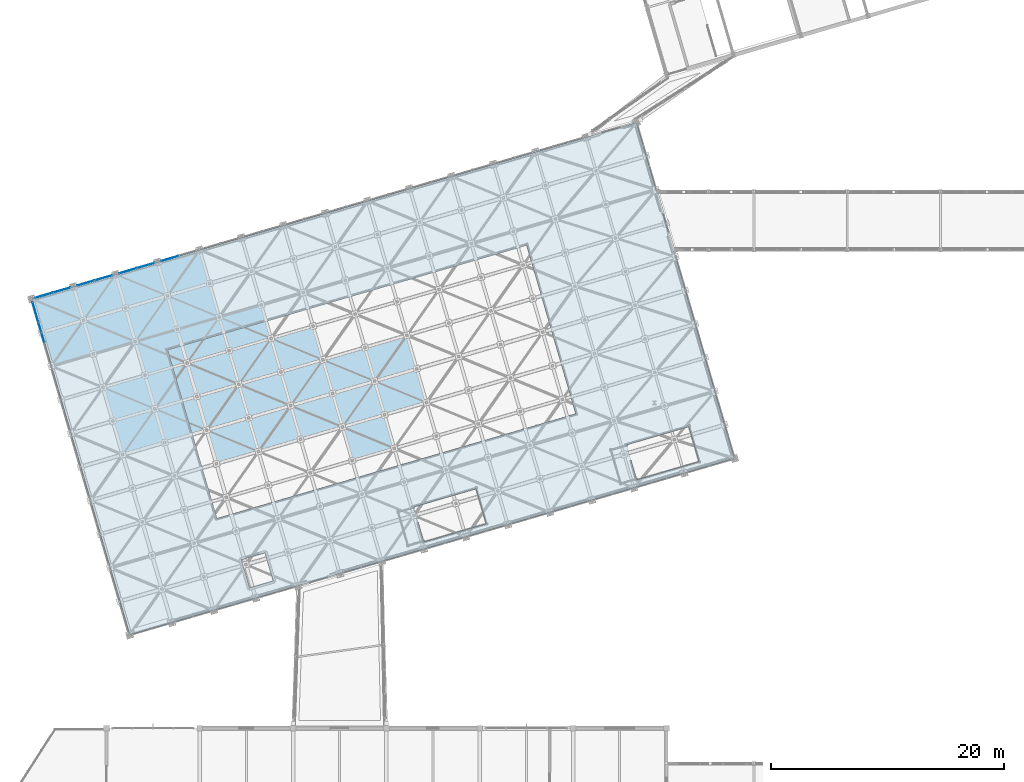
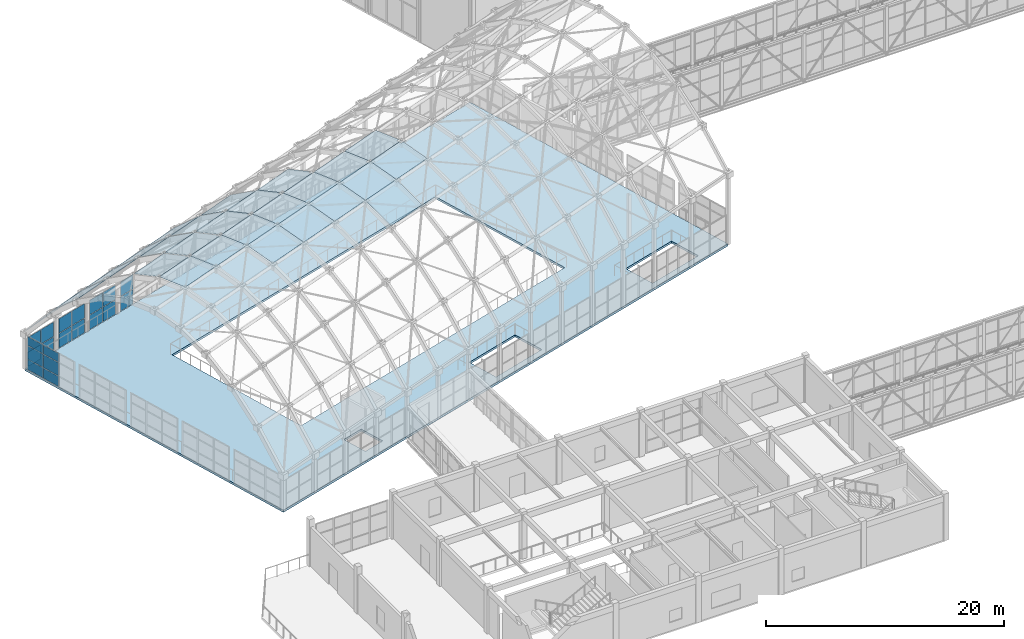
# One storey, part 201 of 248: 49 plates, 1 slab, 5 elements without a shape of their own.
"""IFC4 building model written with IfcOpenShell, lengths in metres."""

from ifc_helpers import new_model, si_unit, direction, frame, origin, origin_2d, place, context, subcontext, project, spatial, polyline, rectangle, outline, extrude, material, layer, layer_set, type_object, element, aggregate, save


model = new_model("IFC4")

# Units and contexts
model_context = context("Model", 3, precision=1e-05, world=origin(), true_north=direction((0.0, 1.0)))
body_context = subcontext(model_context, "Body", "Model", "MODEL_VIEW")
ifc_project = project(units=[si_unit("LENGTHUNIT", "METRE"), si_unit("AREAUNIT", "SQUARE_METRE"), si_unit("VOLUMEUNIT", "CUBIC_METRE"), si_unit("PLANEANGLEUNIT", "RADIAN"), si_unit("MASSUNIT", "GRAM", prefix="KILO")], contexts=[model_context])

# Site, building, storey
site_placement = place(None, origin())
site = spatial("IfcSite", under=ifc_project, at=site_placement, CompositionType="ELEMENT")
building_placement = place(site_placement, origin())
building = spatial("IfcBuilding", under=site, at=building_placement, Name="Canggui Botanical Conservatory", CompositionType="ELEMENT")
storey_placement = place(building_placement, frame((0.0, 0.0, 5.39990234375)))
storey = spatial("IfcBuildingStorey", under=building, at=storey_placement, Name="L02", CompositionType="ELEMENT", Elevation=5.39990234375)

# Curtain wall, plates
ifc_material_1 = material(Name="Thermally Broken Aluminium", Category="aluminium")
ifc_layer_1 = layer(ifc_material_1, 0.14990234375, Name="Thermally Broken Aluminium", Category="aluminium")
ifc_layer_set_1 = layer_set([ifc_layer_1], Name="Thermally Broken Aluminium")
curtain_wall_type_1 = type_object("IfcCurtainWallType", Name="CW-UNIT-C", PredefinedType="USERDEFINED", material=ifc_layer_set_1)
curtain_wall_1_placement = place(storey_placement, origin())
curtain_wall_1 = element("IfcCurtainWall", 1, at=curtain_wall_1_placement, inside=storey, type_object=curtain_wall_type_1, Name="Facade Curtain Wall CW-CONS-GABLE-L02-S-05", ObjectType="UNITISED CURTAIN WALL", PredefinedType="USERDEFINED")
ifc_material_2 = material(Name="Low-E Insulated Glass", Category="glass")
ifc_layer_2 = layer(ifc_material_2, 0.033935546875, Name="Low-E Insulated Glass", Category="glass")
ifc_layer_set_2 = layer_set([ifc_layer_2], Name="Low-E Insulated Glass")
plate_type_1 = type_object("IfcPlateType", Name="CWP-03", PredefinedType="CURTAIN_PANEL", material=ifc_layer_set_2)
plate_1_placement = place(storey_placement, frame((12.43994140625, 67.919921875, 0.054931640625), z_axis=(0.0, 0.0, 1.0), x_axis=(-0.279999999995, 0.960000000002, 0.0)))
plate_1 = element("IfcPlate", 2, at=plate_1_placement, type_object=plate_type_1, Name="CW-03 panel 2.1", PredefinedType="CURTAIN_PANEL", context=body_context, shape_type="SweptSolid", body=[
    extrude(rectangle(XDim=1.7734375, YDim=0.033935546875, at=origin_2d()), origin(), (0.0, 0.0, 1.0), 1.03759765625),
])
plate_2_placement = place(storey_placement, frame((12.43994140625, 67.919921875, 1.1474609375), z_axis=(0.0, 0.0, 1.0), x_axis=(-0.279999999995, 0.960000000002, 0.0)))
plate_2 = element("IfcPlate", 3, at=plate_2_placement, type_object=plate_type_1, Name="CW-03 panel 2.2", PredefinedType="CURTAIN_PANEL", context=body_context, shape_type="SweptSolid", body=[
    extrude(rectangle(XDim=1.7734375, YDim=0.033935546875, at=origin_2d()), origin(), (0.0, 0.0, 1.0), 1.344970703125),
])
plate_3_placement = place(storey_placement, frame((12.43994140625, 67.919921875, 2.547607421875), z_axis=(0.0, 0.0, 1.0), x_axis=(-0.279999999995, 0.960000000002, 0.0)))
plate_3 = element("IfcPlate", 4, at=plate_3_placement, type_object=plate_type_1, Name="CW-03 panel 2.3", PredefinedType="CURTAIN_PANEL", context=body_context, shape_type="SweptSolid", body=[
    extrude(rectangle(XDim=1.7734375, YDim=0.033935546875, at=origin_2d()), origin(), (0.0, 0.0, 1.0), 0.8974609375),
])
plate_4_placement = place(storey_placement, frame((11.930908203125, 69.66552734375, 0.054931640625), z_axis=(0.0, 0.0, 1.0), x_axis=(-0.279999999995, 0.960000000002, 0.0)))
plate_4 = element("IfcPlate", 5, at=plate_4_placement, type_object=plate_type_1, Name="CW-03 panel 3.1", PredefinedType="CURTAIN_PANEL", context=body_context, shape_type="SweptSolid", body=[
    extrude(rectangle(XDim=1.743408203125, YDim=0.033935546875, at=origin_2d()), origin(), (0.0, 0.0, 1.0), 1.03759765625),
])
plate_5_placement = place(storey_placement, frame((11.930908203125, 69.66552734375, 1.1474609375), z_axis=(0.0, 0.0, 1.0), x_axis=(-0.279999999995, 0.960000000002, 0.0)))
plate_5 = element("IfcPlate", 6, at=plate_5_placement, type_object=plate_type_1, Name="CW-03 panel 3.2", PredefinedType="CURTAIN_PANEL", context=body_context, shape_type="SweptSolid", body=[
    extrude(rectangle(XDim=1.743408203125, YDim=0.033935546875, at=origin_2d()), origin(), (0.0, 0.0, 1.0), 1.344970703125),
])
plate_6_placement = place(storey_placement, frame((11.930908203125, 69.66552734375, 2.547607421875), z_axis=(0.0, 0.0, 1.0), x_axis=(-0.279999999995, 0.960000000002, 0.0)))
plate_6 = element("IfcPlate", 7, at=plate_6_placement, type_object=plate_type_1, Name="CW-03 panel 3.3", PredefinedType="CURTAIN_PANEL", context=body_context, shape_type="SweptSolid", body=[
    extrude(rectangle(XDim=1.743408203125, YDim=0.033935546875, at=origin_2d()), origin(), (0.0, 0.0, 1.0), 0.8974609375),
])
aggregate(curtain_wall_1, [plate_1, plate_2, plate_3, plate_4, plate_5, plate_6])

ifc_layer_3 = layer(ifc_material_1, 0.135009765625, Name="Thermally Broken Aluminium", Category="aluminium")
ifc_layer_set_3 = layer_set([ifc_layer_3], Name="Thermally Broken Aluminium")
curtain_wall_type_2 = type_object("IfcCurtainWallType", Name="CW-STICK-A", PredefinedType="USERDEFINED", material=ifc_layer_set_3)
curtain_wall_2_placement = place(storey_placement, origin())
curtain_wall_2 = element("IfcCurtainWall", 8, at=curtain_wall_2_placement, inside=storey, type_object=curtain_wall_type_2, Name="Facade Curtain Wall CW-CONS-L02-V1-01", ObjectType="STICK GLAZED WALL", PredefinedType="USERDEFINED")
ifc_layer_4 = layer(ifc_material_2, 0.0380859375, Name="Low-E Insulated Glass", Category="glass")
ifc_layer_set_4 = layer_set([ifc_layer_4], Name="Low-E Insulated Glass")
plate_type_2 = type_object("IfcPlateType", Name="CWP-04", PredefinedType="CURTAIN_PANEL", material=ifc_layer_set_4)
plate_7_placement = place(storey_placement, frame((12.634521484375, 71.101806640625, 0.050048828125), z_axis=(0.0, 0.0, 1.0), x_axis=(0.960000000002, 0.279999999995, 0.0)))
plate_7 = element("IfcPlate", 9, at=plate_7_placement, type_object=plate_type_2, Name="CW-04 panel 1.1", PredefinedType="CURTAIN_PANEL", context=body_context, shape_type="SweptSolid", body=[
    extrude(rectangle(XDim=1.534912109375, YDim=0.0380859375, at=origin_2d()), origin(), (0.0, 0.0, 1.0), 1.47509765625),
])
plate_8_placement = place(storey_placement, frame((12.634521484375, 71.101806640625, 1.574951171875), z_axis=(0.0, 0.0, 1.0), x_axis=(0.960000000002, 0.279999999995, 0.0)))
plate_8 = element("IfcPlate", 10, at=plate_8_placement, type_object=plate_type_2, Name="CW-04 panel 1.2", PredefinedType="CURTAIN_PANEL", context=body_context, shape_type="SweptSolid", body=[
    extrude(rectangle(XDim=1.534912109375, YDim=0.0380859375, at=origin_2d()), origin(), (0.0, 0.0, 1.0), 1.47509765625),
])
plate_9_placement = place(storey_placement, frame((14.16552734375, 71.54833984375, 0.050048828125), z_axis=(0.0, 0.0, 1.0), x_axis=(0.960000000002, 0.279999999995, 0.0)))
plate_9 = element("IfcPlate", 11, at=plate_9_placement, type_object=plate_type_2, Name="CW-04 panel 2.1", PredefinedType="CURTAIN_PANEL", context=body_context, shape_type="SweptSolid", body=[
    extrude(rectangle(XDim=1.534912109375, YDim=0.0380859375, at=origin_2d()), origin(), (0.0, 0.0, 1.0), 1.47509765625),
])
plate_10_placement = place(storey_placement, frame((14.16552734375, 71.54833984375, 1.574951171875), z_axis=(0.0, 0.0, 1.0), x_axis=(0.960000000002, 0.279999999995, 0.0)))
plate_10 = element("IfcPlate", 12, at=plate_10_placement, type_object=plate_type_2, Name="CW-04 panel 2.2", PredefinedType="CURTAIN_PANEL", context=body_context, shape_type="SweptSolid", body=[
    extrude(rectangle(XDim=1.534912109375, YDim=0.0380859375, at=origin_2d()), origin(), (0.0, 0.0, 1.0), 1.47509765625),
])
aggregate(curtain_wall_2, [plate_7, plate_8, plate_9, plate_10])

curtain_wall_3_placement = place(storey_placement, origin())
curtain_wall_3 = element("IfcCurtainWall", 13, at=curtain_wall_3_placement, inside=storey, type_object=curtain_wall_type_2, Name="Facade Curtain Wall CW-CONS-L02-V1-02", ObjectType="STICK GLAZED WALL", PredefinedType="USERDEFINED")
plate_11_placement = place(storey_placement, frame((16.234375, 72.151611328125, 0.050048828125), z_axis=(0.0, 0.0, 1.0), x_axis=(0.960000000002, 0.279999999995, 0.0)))
plate_11 = element("IfcPlate", 14, at=plate_11_placement, type_object=plate_type_2, Name="CW-04 panel 1.1", PredefinedType="CURTAIN_PANEL", context=body_context, shape_type="SweptSolid", body=[
    extrude(rectangle(XDim=1.534912109375, YDim=0.0380859375, at=origin_2d()), origin(), (0.0, 0.0, 1.0), 1.47509765625),
])
plate_12_placement = place(storey_placement, frame((16.234375, 72.151611328125, 1.574951171875), z_axis=(0.0, 0.0, 1.0), x_axis=(0.960000000002, 0.279999999995, 0.0)))
plate_12 = element("IfcPlate", 15, at=plate_12_placement, type_object=plate_type_2, Name="CW-04 panel 1.2", PredefinedType="CURTAIN_PANEL", context=body_context, shape_type="SweptSolid", body=[
    extrude(rectangle(XDim=1.534912109375, YDim=0.0380859375, at=origin_2d()), origin(), (0.0, 0.0, 1.0), 1.47509765625),
])
plate_13_placement = place(storey_placement, frame((17.765625, 72.598388671875, 0.050048828125), z_axis=(0.0, 0.0, 1.0), x_axis=(0.960000000002, 0.279999999995, 0.0)))
plate_13 = element("IfcPlate", 16, at=plate_13_placement, type_object=plate_type_2, Name="CW-04 panel 2.1", PredefinedType="CURTAIN_PANEL", context=body_context, shape_type="SweptSolid", body=[
    extrude(rectangle(XDim=1.534912109375, YDim=0.0380859375, at=origin_2d()), origin(), (0.0, 0.0, 1.0), 1.47509765625),
])
plate_14_placement = place(storey_placement, frame((17.765625, 72.598388671875, 1.574951171875), z_axis=(0.0, 0.0, 1.0), x_axis=(0.960000000002, 0.279999999995, 0.0)))
plate_14 = element("IfcPlate", 17, at=plate_14_placement, type_object=plate_type_2, Name="CW-04 panel 2.2", PredefinedType="CURTAIN_PANEL", context=body_context, shape_type="SweptSolid", body=[
    extrude(rectangle(XDim=1.534912109375, YDim=0.0380859375, at=origin_2d()), origin(), (0.0, 0.0, 1.0), 1.47509765625),
])
aggregate(curtain_wall_3, [plate_11, plate_12, plate_13, plate_14])

curtain_wall_4_placement = place(storey_placement, origin())
curtain_wall_4 = element("IfcCurtainWall", 18, at=curtain_wall_4_placement, inside=storey, type_object=curtain_wall_type_2, Name="Facade Curtain Wall CW-CONS-L02-V1-03", ObjectType="STICK GLAZED WALL", PredefinedType="USERDEFINED")
plate_15_placement = place(storey_placement, frame((19.83447265625, 73.20166015625, 0.050048828125), z_axis=(0.0, 0.0, 1.0), x_axis=(0.960000000002, 0.279999999995, 0.0)))
plate_15 = element("IfcPlate", 19, at=plate_15_placement, type_object=plate_type_2, Name="CW-04 panel 1.1", PredefinedType="CURTAIN_PANEL", context=body_context, shape_type="SweptSolid", body=[
    extrude(rectangle(XDim=1.534912109375, YDim=0.0380859375, at=origin_2d()), origin(), (0.0, 0.0, 1.0), 1.47509765625),
])
plate_16_placement = place(storey_placement, frame((19.83447265625, 73.20166015625, 1.574951171875), z_axis=(0.0, 0.0, 1.0), x_axis=(0.960000000002, 0.279999999995, 0.0)))
plate_16 = element("IfcPlate", 20, at=plate_16_placement, type_object=plate_type_2, Name="CW-04 panel 1.2", PredefinedType="CURTAIN_PANEL", context=body_context, shape_type="SweptSolid", body=[
    extrude(rectangle(XDim=1.534912109375, YDim=0.0380859375, at=origin_2d()), origin(), (0.0, 0.0, 1.0), 1.47509765625),
])
plate_17_placement = place(storey_placement, frame((21.365478515625, 73.648193359375, 0.050048828125), z_axis=(0.0, 0.0, 1.0), x_axis=(0.960000000002, 0.279999999995, 0.0)))
plate_17 = element("IfcPlate", 21, at=plate_17_placement, type_object=plate_type_2, Name="CW-04 panel 2.1", PredefinedType="CURTAIN_PANEL", context=body_context, shape_type="SweptSolid", body=[
    extrude(rectangle(XDim=1.534912109375, YDim=0.0380859375, at=origin_2d()), origin(), (0.0, 0.0, 1.0), 1.47509765625),
])
plate_18_placement = place(storey_placement, frame((21.365478515625, 73.648193359375, 1.574951171875), z_axis=(0.0, 0.0, 1.0), x_axis=(0.960000000002, 0.279999999995, 0.0)))
plate_18 = element("IfcPlate", 22, at=plate_18_placement, type_object=plate_type_2, Name="CW-04 panel 2.2", PredefinedType="CURTAIN_PANEL", context=body_context, shape_type="SweptSolid", body=[
    extrude(rectangle(XDim=1.534912109375, YDim=0.0380859375, at=origin_2d()), origin(), (0.0, 0.0, 1.0), 1.47509765625),
])
aggregate(curtain_wall_4, [plate_15, plate_16, plate_17, plate_18])

curtain_wall_5_placement = place(storey_placement, origin())
curtain_wall_5 = element("IfcCurtainWall", 23, at=curtain_wall_5_placement, inside=storey, type_object=curtain_wall_type_2, Name="Facade Curtain Wall CW-CONS-L02-V1-04", ObjectType="STICK GLAZED WALL", PredefinedType="USERDEFINED")
plate_19_placement = place(storey_placement, frame((23.434326171875, 74.251708984375, 0.050048828125), z_axis=(0.0, 0.0, 1.0), x_axis=(0.960000000002, 0.279999999995, 0.0)))
plate_19 = element("IfcPlate", 24, at=plate_19_placement, type_object=plate_type_2, Name="CW-04 panel 1.1", PredefinedType="CURTAIN_PANEL", context=body_context, shape_type="SweptSolid", body=[
    extrude(rectangle(XDim=1.534912109375, YDim=0.0380859375, at=origin_2d()), origin(), (0.0, 0.0, 1.0), 1.47509765625),
])
plate_20_placement = place(storey_placement, frame((23.434326171875, 74.251708984375, 1.574951171875), z_axis=(0.0, 0.0, 1.0), x_axis=(0.960000000002, 0.279999999995, 0.0)))
plate_20 = element("IfcPlate", 25, at=plate_20_placement, type_object=plate_type_2, Name="CW-04 panel 1.2", PredefinedType="CURTAIN_PANEL", context=body_context, shape_type="SweptSolid", body=[
    extrude(rectangle(XDim=1.534912109375, YDim=0.0380859375, at=origin_2d()), origin(), (0.0, 0.0, 1.0), 1.47509765625),
])
aggregate(curtain_wall_5, [plate_19, plate_20])

# Plates
ifc_layer_5 = layer(ifc_material_2, 0.028076171875, Name="Low-E Insulated Glass", Category="glass")
ifc_layer_set_5 = layer_set([ifc_layer_5], Name="Low-E Insulated Glass")
plate_type_3 = type_object("IfcPlateType", Name="PLT-GS-GLAZ-28", PredefinedType="SHEET", material=ifc_layer_set_5)
plate_21_placement = place(storey_placement, frame((19.39990234375, 57.449951171875, 13.715087890625), z_axis=(-0.098818088197, 0.103156370705, 0.989744284463), x_axis=(0.957872431798, 0.279384853855, 0.066516974057)))
element("IfcPlate", 26, at=plate_21_placement, inside=storey, type_object=plate_type_3, Name="Conservatory Stepped-Arch Roof Glazing Panel 2-6", PredefinedType="SHEET", context=body_context, shape_type="SweptSolid", body=[
    extrude(outline(polyline([(0.0, 0.0), (3.758431278603235, 9.71445146547012e-17), (3.732785159965965, 3.0242844534548476), (-0.02534405387026474, 3.024451680977355), (0.0, 0.0)])), origin(), (0.0, 0.0, -1.0), 0.028076171875),
])
plate_22_placement = place(storey_placement, frame((18.56005859375, 60.330078125, 13.3310546875), z_axis=(-0.159796453637, 0.326047322718, 0.931750093509), x_axis=(0.957883580986, 0.279344121408, 0.066527491404)))
element("IfcPlate", 27, at=plate_22_placement, inside=storey, type_object=plate_type_3, Name="Conservatory Stepped-Arch Roof Glazing Panel 2-7", PredefinedType="SHEET", context=body_context, shape_type="SweptSolid", body=[
    extrude(outline(polyline([(0.0, 0.0), (3.758129217502079, -1.3877787807814457e-16), (3.6815731572518837, 3.212690302635402), (-0.0768581177947249, 3.2125280586967877), (0.0, 0.0)])), origin(), (0.0, 0.0, -1.0), 0.028076171875),
])
plate_23_placement = place(storey_placement, frame((23.0, 58.5, 13.965087890625), z_axis=(-0.098818270061, 0.10315649736, 0.989744253105), x_axis=(0.957872417874, 0.27938486839, 0.066517113516)))
element("IfcPlate", 28, at=plate_23_placement, inside=storey, type_object=plate_type_3, Name="Conservatory Stepped-Arch Roof Glazing Panel 3-6", PredefinedType="SHEET", context=body_context, shape_type="SweptSolid", body=[
    extrude(outline(polyline([(0.0, 0.0), (3.7584312786032728, 8.326672684688674e-17), (3.7327851599659283, 3.024284453454893), (-0.025646118637344152, 3.024284453454893), (0.0, 0.0)])), origin(), (0.0, 0.0, -1.0), 0.028076171875),
])
plate_24_placement = place(storey_placement, frame((22.159912109375, 61.3798828125, 13.5810546875), z_axis=(-0.159803580988, 0.32603294783, 0.931753901217), x_axis=(0.957871588463, 0.279386560593, 0.066521949571)))
element("IfcPlate", 29, at=plate_24_placement, inside=storey, type_object=plate_type_3, Name="Conservatory Stepped-Arch Roof Glazing Panel 3-7", PredefinedType="SHEET", context=body_context, shape_type="SweptSolid", body=[
    extrude(outline(polyline([(0.0, 0.0), (3.7584312785526484, 1.3877787807814457e-16), (3.681780048409405, 3.2127518639817385), (-0.07641737477496584, 3.2126936044186367), (0.0, 0.0)])), origin(), (0.0, 0.0, -1.0), 0.028076171875),
])
plate_25_placement = place(storey_placement, frame((27.43994140625, 56.669921875, 13.8310546875), z_axis=(-0.027868329679, -0.140099194422, 0.989745205557), x_axis=(0.95787239265, 0.279384741581, 0.066518009371)))
element("IfcPlate", 30, at=plate_25_placement, inside=storey, type_object=plate_type_3, Name="Conservatory Stepped-Arch Roof Glazing Panel 4-5", PredefinedType="SHEET", context=body_context, shape_type="SweptSolid", body=[
    extrude(outline(polyline([(0.0, 0.0), (3.758431278601733, 9.71445146547012e-17), (3.783942929496028, 3.024518075140464), (0.02574550645890693, 3.0244482902703442), (0.0, 0.0)])), origin(), (0.0, 0.0, -1.0), 0.028076171875),
])
plate_26_placement = place(storey_placement, frame((26.60009765625, 59.550048828125, 14.215087890625), z_axis=(-0.098822412777, 0.103159382446, 0.989743538775), x_axis=(0.957867376811, 0.279401922068, 0.066518075626)))
element("IfcPlate", 31, at=plate_26_placement, inside=storey, type_object=plate_type_3, Name="Conservatory Stepped-Arch Roof Glazing Panel 4-6", PredefinedType="SHEET", context=body_context, shape_type="SweptSolid", body=[
    extrude(outline(polyline([(0.0, 0.0), (3.7581974236672075, -6.245004513516506e-17), (3.732838137418493, 3.0242190637757793), (-0.025593140588756152, 3.0242849022238962), (0.0, 0.0)])), origin(), (0.0, 0.0, -1.0), 0.028076171875),
])
plate_27_placement = place(storey_placement, frame((25.760009765625, 62.429931640625, 13.8310546875), z_axis=(-0.159797189994, 0.326029026092, 0.93175636956), x_axis=(0.957872417874, 0.27938486839, 0.066517113516)))
element("IfcPlate", 32, at=plate_27_placement, inside=storey, type_object=plate_type_3, Name="Conservatory Stepped-Arch Roof Glazing Panel 4-7", PredefinedType="SHEET", context=body_context, shape_type="SweptSolid", body=[
    extrude(outline(polyline([(0.0, 0.0), (3.7584312786032728, 2.220446049250313e-16), (3.681780048359814, 3.2127518640385704), (-0.0766512302434586, 3.2127518640385704), (0.0, 0.0)])), origin(), (0.0, 0.0, -1.0), 0.028076171875),
])
plate_28_placement = place(storey_placement, frame((31.0400390625, 57.719970703125, 14.0810546875), z_axis=(-0.027871083236, -0.140105800642, 0.989744192883), x_axis=(0.957866958003, 0.279401742439, 0.06652486068)))
element("IfcPlate", 33, at=plate_28_placement, inside=storey, type_object=plate_type_3, Name="Conservatory Stepped-Arch Roof Glazing Panel 5-5", PredefinedType="SHEET", context=body_context, shape_type="SweptSolid", body=[
    extrude(outline(polyline([(0.0, 0.0), (3.7581974236615956, 1.5959455978986625e-16), (3.783930876819173, 3.0242159030813762), (0.025567812235809104, 3.0245176008719272), (0.0, 0.0)])), origin(), (0.0, 0.0, -1.0), 0.028076171875),
])
plate_29_placement = place(storey_placement, frame((30.199951171875, 60.60009765625, 14.465087890625), z_axis=(-0.098818088197, 0.103156370705, 0.989744284463), x_axis=(0.957889151865, 0.279325655724, 0.066524813365)))
element("IfcPlate", 34, at=plate_29_placement, inside=storey, type_object=plate_type_3, Name="Conservatory Stepped-Arch Roof Glazing Panel 5-6", PredefinedType="SHEET", context=body_context, shape_type="SweptSolid", body=[
    extrude(outline(polyline([(0.0, 0.0), (3.758363076636668, -9.020562075079397e-17), (3.7325976121788313, 3.0245159234872125), (-0.025599799541786473, 3.0242170373346164), (0.0, 0.0)])), origin(), (0.0, 0.0, -1.0), 0.028076171875),
])
plate_30_placement = place(storey_placement, frame((29.360107421875, 63.47998046875, 14.0810546875), z_axis=(-0.159796453637, 0.326047322718, 0.931750093509), x_axis=(0.957869581425, 0.279397107964, 0.066506548873)))
element("IfcPlate", 35, at=plate_30_placement, inside=storey, type_object=plate_type_3, Name="Conservatory Stepped-Arch Roof Glazing Panel 5-7", PredefinedType="SHEET", context=body_context, shape_type="SweptSolid", body=[
    extrude(outline(polyline([(0.0, 0.0), (3.7581974232186135, 1.6653345369377348e-16), (3.6817616390031107, 3.212474299727593), (-0.07660142690921903, 3.2127530513345217), (0.0, 0.0)])), origin(), (0.0, 0.0, -1.0), 0.028076171875),
])
plate_31_placement = place(storey_placement, frame((34.639892578125, 58.77001953125, 14.3310546875), z_axis=(-0.027865096775, -0.140109937673, 0.989743775806), x_axis=(0.957872392656, 0.279384741586, 0.066518009266)))
element("IfcPlate", 36, at=plate_31_placement, inside=storey, type_object=plate_type_3, Name="Conservatory Stepped-Arch Roof Glazing Panel 6-5", PredefinedType="SHEET", context=body_context, shape_type="SweptSolid", body=[
    extrude(outline(polyline([(0.0, 0.0), (3.758431278601733, -2.2898349882893854e-16), (3.7838747202996434, 3.024286165374089), (0.02567729726252356, 3.024216380427026), (0.0, 0.0)])), origin(), (0.0, 0.0, -1.0), 0.028076171875),
])
plate_32_placement = place(storey_placement, frame((33.800048828125, 61.64990234375, 14.715087890625), z_axis=(-0.09882016722, 0.103151433169, 0.989744591491), x_axis=(0.957867376797, 0.279401922101, 0.066518075695)))
element("IfcPlate", 37, at=plate_32_placement, inside=storey, type_object=plate_type_3, Name="Conservatory Stepped-Arch Roof Glazing Panel 6-6", PredefinedType="SHEET", context=body_context, shape_type="SweptSolid", body=[
    extrude(outline(polyline([(0.0, 0.0), (3.7581974236672084, 4.163336342344337e-17), (3.732906350859214, 3.024452124455653), (-0.025524927148032735, 3.0245179631046795), (0.0, 0.0)])), origin(), (0.0, 0.0, -1.0), 0.028076171875),
])
plate_33_placement = place(storey_placement, frame((32.9599609375, 64.530029296875, 14.3310546875), z_axis=(-0.159809493814, 0.326055325033, 0.93174505671), x_axis=(0.957871588402, 0.279386560771, 0.066521949704)))
element("IfcPlate", 38, at=plate_33_placement, inside=storey, type_object=plate_type_3, Name="Conservatory Stepped-Arch Roof Glazing Panel 6-7", PredefinedType="SHEET", context=body_context, shape_type="SweptSolid", body=[
    extrude(outline(polyline([(0.0, 0.0), (3.7584312785526452, 8.326672684688674e-17), (3.6817118392130244, 3.21253137351899), (-0.07648558397135871, 3.21247311492256), (0.0, 0.0)])), origin(), (0.0, 0.0, -1.0), 0.028076171875),
])
plate_34_placement = place(storey_placement, frame((39.080078125, 56.93994140625, 13.42919921875), z_axis=(0.040538045254, -0.36081639495, 0.931755437882), x_axis=(0.957867112979, 0.2794017781, 0.066522479423)))
element("IfcPlate", 39, at=plate_34_placement, inside=storey, type_object=plate_type_3, Name="Conservatory Stepped-Arch Roof Glazing Panel 7-4", PredefinedType="SHEET", context=body_context, shape_type="SweptSolid", body=[
    extrude(outline(polyline([(0.0, 0.0), (3.7581974236833102, 1.5265566588595902e-16), (3.8350755890926655, 3.212682611008945), (0.07664431113372543, 3.2127520291064315), (0.0, 0.0)])), origin(), (0.0, 0.0, -1.0), 0.028076171875),
])
plate_35_placement = place(storey_placement, frame((38.239990234375, 59.820068359375, 14.5810546875), z_axis=(-0.027863906202, -0.140110760435, 0.989743692853), x_axis=(0.957872417874, 0.27938486839, 0.066517113516)))
element("IfcPlate", 40, at=plate_35_placement, inside=storey, type_object=plate_type_3, Name="Conservatory Stepped-Arch Roof Glazing Panel 7-5", PredefinedType="SHEET", context=body_context, shape_type="SweptSolid", body=[
    extrude(outline(polyline([(0.0, 0.0), (3.7584312786032728, 1.3877787807814457e-16), (3.783874720298094, 3.024286165376028), (0.02544344169482141, 3.024286165376028), (0.0, 0.0)])), origin(), (0.0, 0.0, -1.0), 0.028076171875),
])
plate_36_placement = place(storey_placement, frame((37.39990234375, 62.699951171875, 14.965087890625), z_axis=(-0.098818088197, 0.103156370705, 0.989744284463), x_axis=(0.957872431798, 0.279384853855, 0.066516974057)))
element("IfcPlate", 41, at=plate_36_placement, inside=storey, type_object=plate_type_3, Name="Conservatory Stepped-Arch Roof Glazing Panel 7-6", PredefinedType="SHEET", context=body_context, shape_type="SweptSolid", body=[
    extrude(outline(polyline([(0.0, 0.0), (3.758431278603235, 9.71445146547012e-17), (3.732785159965965, 3.0242844534548476), (-0.02534405387026474, 3.024451680977355), (0.0, 0.0)])), origin(), (0.0, 0.0, -1.0), 0.028076171875),
])
plate_37_placement = place(storey_placement, frame((41.840087890625, 60.8701171875, 14.8310546875), z_axis=(-0.027871083236, -0.140105800642, 0.989744192883), x_axis=(0.957884595973, 0.279343125159, 0.066517059642)))
element("IfcPlate", 42, at=plate_37_placement, inside=storey, type_object=plate_type_3, Name="Conservatory Stepped-Arch Roof Glazing Panel 8-5", PredefinedType="SHEET", context=body_context, shape_type="SweptSolid", body=[
    extrude(outline(polyline([(0.0, 0.0), (3.7581292175009353, 2.498001805406602e-16), (3.783744249769105, 3.0244493980450486), (0.025312974719065306, 3.0242872601160986), (0.0, 0.0)])), origin(), (0.0, 0.0, -1.0), 0.028076171875),
])
plate_38_placement = place(storey_placement, frame((41.0, 63.75, 15.215087890625), z_axis=(-0.098818270061, 0.10315649736, 0.989744253105), x_axis=(0.957872417874, 0.27938486839, 0.066517113516)))
element("IfcPlate", 43, at=plate_38_placement, inside=storey, type_object=plate_type_3, Name="Conservatory Stepped-Arch Roof Glazing Panel 8-6", PredefinedType="SHEET", context=body_context, shape_type="SweptSolid", body=[
    extrude(outline(polyline([(0.0, 0.0), (3.7584312786032728, 8.326672684688674e-17), (3.7327851599659283, 3.024284453454893), (-0.025646118637344152, 3.024284453454893), (0.0, 0.0)])), origin(), (0.0, 0.0, -1.0), 0.028076171875),
])
ifc_layer_6 = layer(ifc_material_2, 0.031982421875, Name="Low-E Insulated Glass", Category="glass")
ifc_layer_set_6 = layer_set([ifc_layer_6], Name="Low-E Insulated Glass")
plate_type_4 = type_object("IfcPlateType", Name="PLT-GS-GLAZ-32", PredefinedType="SHEET", material=ifc_layer_set_6)
plate_39_placement = place(storey_placement, frame((13.280029296875, 65.0400390625, 10.009033203125), z_axis=(-0.23423796207, 0.625961091657, 0.74384493603), x_axis=(0.957868841781, 0.279397490701, 0.066515593167)))
element("IfcPlate", 44, at=plate_39_placement, inside=storey, type_object=plate_type_4, Name="Conservatory Stepped-Arch Roof Glazing Panel 1-9", PredefinedType="SHEET", context=body_context, shape_type="SweptSolid", body=[
    extrude(outline(polyline([(0.0, 0.0), (3.758197423577794, 1.1102230246251565e-16), (3.5795761598587448, 4.023982850561634), (-0.1788551184167501, 4.024023424837827), (0.0, 0.0)])), origin(), (0.0, 0.0, -1.0), 0.031982421875),
])
plate_40_placement = place(storey_placement, frame((12.43994140625, 67.919921875, 7.321044921875), z_axis=(-0.253168768554, 0.712036909135, 0.654911455586), x_axis=(0.95787033618, 0.279390723253, 0.066522498648)))
element("IfcPlate", 45, at=plate_40_placement, inside=storey, type_object=plate_type_4, Name="Conservatory Stepped-Arch Roof Glazing Panel 1-10", PredefinedType="SHEET", context=body_context, shape_type="SweptSolid", body=[
    extrude(outline(polyline([(0.0, 0.0), (3.758431278476214, 1.942890293094024e-16), (3.5285113674826025, 4.570812812471781), (-0.22968605593106714, 4.570779704632201), (0.0, 0.0)])), origin(), (0.0, 0.0, -1.0), 0.031982421875),
])
plate_41_placement = place(storey_placement, frame((16.8798828125, 66.090087890625, 10.259033203125), z_axis=(-0.234215481946, 0.625953603967, 0.743858315607), x_axis=(0.957883256961, 0.279342467, 0.066539102514)))
element("IfcPlate", 46, at=plate_41_placement, inside=storey, type_object=plate_type_4, Name="Conservatory Stepped-Arch Roof Glazing Panel 2-9", PredefinedType="SHEET", context=body_context, shape_type="SweptSolid", body=[
    extrude(outline(polyline([(0.0, 0.0), (3.758363075250778, 1.3877787807814457e-16), (3.5793423910025632, 4.024190789937184), (-0.17885502487566546, 4.023972466026054), (0.0, 0.0)])), origin(), (0.0, 0.0, -1.0), 0.031982421875),
])
plate_42_placement = place(storey_placement, frame((16.0400390625, 68.969970703125, 7.571044921875), z_axis=(-0.253149351755, 0.712056369191, 0.654897803325), x_axis=(0.957874996538, 0.279379929706, 0.066500720943)))
element("IfcPlate", 47, at=plate_42_placement, inside=storey, type_object=plate_type_4, Name="Conservatory Stepped-Arch Roof Glazing Panel 2-10", PredefinedType="SHEET", context=body_context, shape_type="SweptSolid", body=[
    extrude(outline(polyline([(0.0, 0.0), (3.7581974218396392, 1.6653345369377348e-16), (3.5284834220944137, 4.570624465603852), (-0.22987964795490157, 4.570814836181451), (0.0, 0.0)])), origin(), (0.0, 0.0, -1.0), 0.031982421875),
])
plate_43_placement = place(storey_placement, frame((21.320068359375, 64.260009765625, 12.42919921875), z_axis=(-0.20453731715, 0.501024805653, 0.840915352466), x_axis=(0.957868418484, 0.279398924595, 0.066515665864)))
element("IfcPlate", 48, at=plate_43_placement, inside=storey, type_object=plate_type_4, Name="Conservatory Stepped-Arch Roof Glazing Panel 3-8", PredefinedType="SHEET", context=body_context, shape_type="SweptSolid", body=[
    extrude(outline(polyline([(0.0, 0.0), (3.7581974236036295, 2.7755575615628914e-17), (3.630652658689854, 3.5594708030868656), (-0.12777861950813207, 3.559520027902928), (0.0, 0.0)])), origin(), (0.0, 0.0, -1.0), 0.031982421875),
])
plate_44_placement = place(storey_placement, frame((20.47998046875, 67.139892578125, 10.509033203125), z_axis=(-0.234223239005, 0.625930639517, 0.743875197075), x_axis=(0.957872417874, 0.27938486839, 0.066517113516)))
element("IfcPlate", 49, at=plate_44_placement, inside=storey, type_object=plate_type_4, Name="Conservatory Stepped-Arch Roof Glazing Panel 3-9", PredefinedType="SHEET", context=body_context, shape_type="SweptSolid", body=[
    extrude(outline(polyline([(0.0, 0.0), (3.7584312786032728, 8.326672684688674e-17), (3.5796009276954828, 4.024199253991208), (-0.17883035090778976, 4.024199253991207), (0.0, 0.0)])), origin(), (0.0, 0.0, -1.0), 0.031982421875),
])
plate_45_placement = place(storey_placement, frame((19.639892578125, 70.02001953125, 7.821044921875), z_axis=(-0.253173926234, 0.712061408254, 0.654882824596), x_axis=(0.957870336095, 0.279390723574, 0.066522498522)))
element("IfcPlate", 50, at=plate_45_placement, inside=storey, type_object=plate_type_4, Name="Conservatory Stepped-Arch Roof Glazing Panel 3-10", PredefinedType="SHEET", context=body_context, shape_type="SweptSolid", body=[
    extrude(outline(polyline([(0.0, 0.0), (3.7584312784762086, 1.1102230246251565e-16), (3.528443158286221, 4.570655548640124), (-0.2297542651274641, 4.5706224431512945), (0.0, 0.0)])), origin(), (0.0, 0.0, -1.0), 0.031982421875),
])
plate_46_placement = place(storey_placement, frame((24.919921875, 65.31005859375, 12.67919921875), z_axis=(-0.20453731715, 0.501024805653, 0.840915352466), x_axis=(0.957871059117, 0.279388196794, 0.066522699869)))
element("IfcPlate", 51, at=plate_46_placement, inside=storey, type_object=plate_type_4, Name="Conservatory Stepped-Arch Roof Glazing Panel 4-8", PredefinedType="SHEET", context=body_context, shape_type="SweptSolid", body=[
    extrude(outline(polyline([(0.0, 0.0), (3.758431278520339, 2.220446049250313e-16), (3.6306060393817097, 3.559518354059242), (-0.1275913838995872, 3.5594691323060177), (0.0, 0.0)])), origin(), (0.0, 0.0, -1.0), 0.031982421875),
])
plate_47_placement = place(storey_placement, frame((24.080078125, 68.18994140625, 10.759033203125), z_axis=(-0.23423165077, 0.625933441291, 0.743870190861), x_axis=(0.957868841685, 0.279397491039, 0.066515593128)))
element("IfcPlate", 52, at=plate_47_placement, inside=storey, type_object=plate_type_4, Name="Conservatory Stepped-Arch Roof Glazing Panel 4-9", PredefinedType="SHEET", context=body_context, shape_type="SweptSolid", body=[
    extrude(outline(polyline([(0.0, 0.0), (3.7581974235778, 1.6653345369377348e-16), (3.579644373299462, 4.024160607889209), (-0.17878690497601485, 4.024201184337178), (0.0, 0.0)])), origin(), (0.0, 0.0, -1.0), 0.031982421875),
])
plate_48_placement = place(storey_placement, frame((23.239990234375, 71.070068359375, 8.071044921875), z_axis=(-0.253165189026, 0.712059616731, 0.654888150211), x_axis=(0.957872417874, 0.27938486839, 0.066517113516)))
element("IfcPlate", 53, at=plate_48_placement, inside=storey, type_object=plate_type_4, Name="Conservatory Stepped-Arch Roof Glazing Panel 4-10", PredefinedType="SHEET", context=body_context, shape_type="SweptSolid", body=[
    extrude(outline(polyline([(0.0, 0.0), (3.7584312786032728, 1.3877787807814457e-16), (3.528443158166933, 4.570655548732213), (-0.22998812043633957, 4.570655548732213), (0.0, 0.0)])), origin(), (0.0, 0.0, -1.0), 0.031982421875),
])
plate_49_placement = place(storey_placement, frame((28.52001953125, 66.360107421875, 12.92919921875), z_axis=(-0.204510654539, 0.501012062835, 0.840929429307), x_axis=(0.957886472284, 0.27933313186, 0.066532004779)))
element("IfcPlate", 54, at=plate_49_placement, inside=storey, type_object=plate_type_4, Name="Conservatory Stepped-Arch Roof Glazing Panel 5-8", PredefinedType="SHEET", context=body_context, shape_type="SweptSolid", body=[
    extrude(outline(polyline([(0.0, 0.0), (3.7583630762199296, 1.942890293094024e-16), (3.630416637701045, 3.5597115280290614), (-0.1280146350842789, 3.5595115472115992), (0.0, 0.0)])), origin(), (0.0, 0.0, -1.0), 0.031982421875),
])

# Slab
ifc_material_3 = material(Name="Concrete C35", Category="concrete")
ifc_layer_7 = layer(ifc_material_3, 0.219970703125, Name="Concrete C35", Category="concrete")
ifc_layer_set_7 = layer_set([ifc_layer_7], Name="Concrete C35")
slab_type = type_object("IfcSlabType", Name="SLAB-F220", PredefinedType="FLOOR", material=ifc_layer_set_7)
slab_placement = place(storey_placement, frame((0.0, 0.0, -0.219970703125)))
element("IfcSlab", 55, at=slab_placement, inside=storey, type_object=slab_type, Name="Conservatory Canopy Skywalk Gallery Slab", PredefinedType="FLOOR", context=body_context, shape_type="SweptSolid", body=[
    extrude(outline(polyline([(20.0, 42.0), (71.840087890625, 57.1201171875), (63.43994140625, 85.919921875), (11.60009765625, 70.800048828125), (20.0, 42.0)]), holes=[polyline([(27.5, 52.0), (58.219970703125, 60.9599609375), (54.02001953125, 75.360107421875), (23.300048828125, 66.39990234375), (27.5, 52.0)]), polyline([(45.224365234375, 49.982177734375), (50.552001953125, 51.535888671875), (49.68408203125, 54.511962890625), (44.3564453125, 52.958251953125), (45.224365234375, 49.982177734375)]), polyline([(63.46435546875, 55.30224609375), (68.7919921875, 56.85595703125), (67.924072265625, 59.83203125), (62.596435546875, 58.278076171875), (63.46435546875, 55.30224609375)]), polyline([(30.280029296875, 46.0400390625), (32.2958984375, 46.6279296875), (31.595947265625, 49.028076171875), (29.580078125, 48.43994140625), (30.280029296875, 46.0400390625)])]), origin(), (0.0, 0.0, 1.0), 0.219970703125),
])

save(model, "model.ifc")
